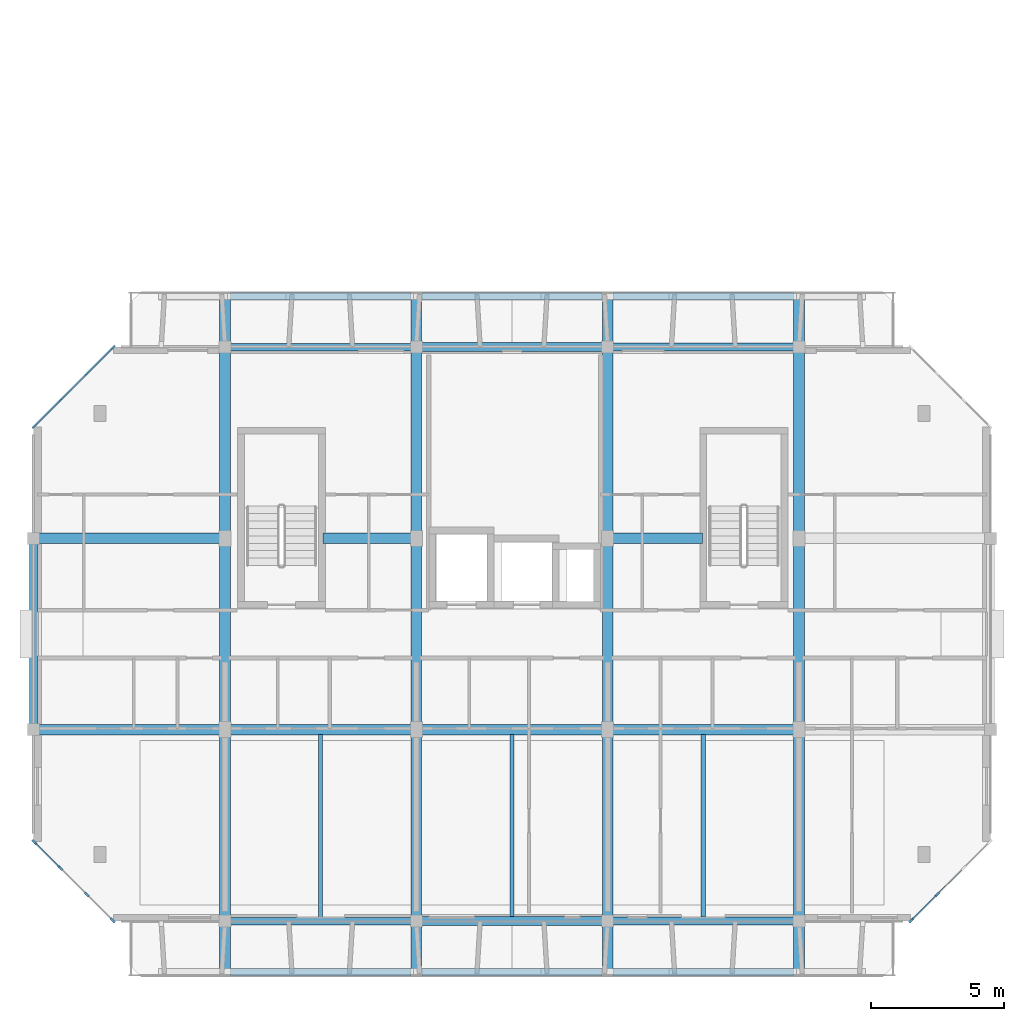
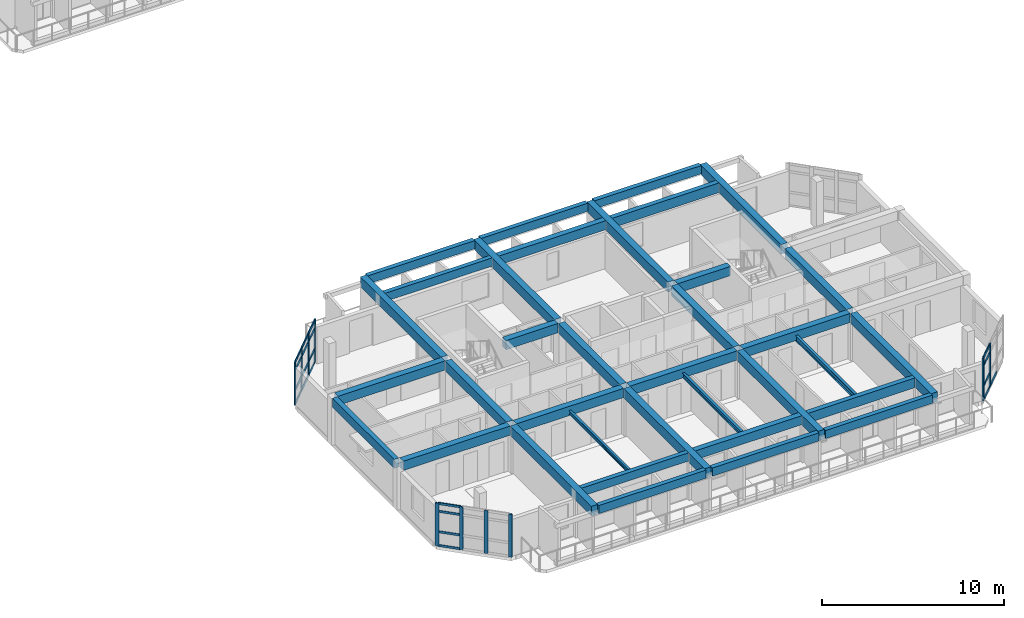
# One storey, part 2 of 22: 35 beams, 31 members, 3 elements without a shape of their own.
"""IFC4 building model written with IfcOpenShell, lengths in metres."""

from ifc_helpers import new_model, si_unit, direction, frame, origin, origin_2d, place, context, subcontext, project, spatial, rectangle, i_section, extrude, material, layer, layer_set, material_profile, profile_set, type_object, element, aggregate, save


model = new_model("IFC4")

# Units and contexts
model_context = context("Model", 3, precision=1e-05, world=origin(), true_north=direction((0.0, 1.0)))
body_context = subcontext(model_context, "Body", "Model", "MODEL_VIEW")
ifc_project = project(units=[si_unit("LENGTHUNIT", "METRE"), si_unit("AREAUNIT", "SQUARE_METRE"), si_unit("VOLUMEUNIT", "CUBIC_METRE"), si_unit("PLANEANGLEUNIT", "RADIAN"), si_unit("MASSUNIT", "GRAM", prefix="KILO")], contexts=[model_context])

# Site, building, storey
site_placement = place(None, origin())
site = spatial("IfcSite", under=ifc_project, at=site_placement, CompositionType="ELEMENT")
building_placement = place(site_placement, origin())
building = spatial("IfcBuilding", under=site, at=building_placement, Name="Ochrevale Crest", CompositionType="ELEMENT")
storey_placement = place(building_placement, frame((0.0, 0.0, 40.199951171875)))
storey = spatial("IfcBuildingStorey", under=building, at=storey_placement, Name="L12", CompositionType="ELEMENT", Elevation=40.199951171875)

# Beams
ifc_material_1 = material(Name="Precast concrete C50/60", Category="concrete")
ifc_material_profile_1 = material_profile(ifc_material_1, rectangle(XDim=0.39990234375, YDim=0.6201171875, at=origin_2d()), Name="PC 400x620")
ifc_profile_set_1 = profile_set([ifc_material_profile_1], Name="Precast concrete C50/60")
beam_type_1 = type_object("IfcBeamType", Name="BM-PC400x620", PredefinedType="BEAM", material=ifc_profile_set_1)
for number, where, z_axis, x_axis, name in (
    (1, (129.800048828125, 21.60009765625, 2.840087890625), (1.0, 0.0, 0.0), (0.0, 1.0, 0.0), "Block C L12 E-W beam Y=21.6"),
    (2, (137.0, 21.60009765625, 2.840087890625), (1.0, 0.0, 0.0), (0.0, 1.0, 0.0), "Block C L12 E-W beam Y=21.6"),
    (3, (144.199951171875, 21.60009765625, 2.840087890625), (1.0, 0.0, 0.0), (0.0, 1.0, 0.0), "Block C L12 E-W beam Y=21.6"),
    (4, (151.39990234375, 21.60009765625, 2.840087890625), (1.0, 0.0, 0.0), (0.0, 1.0, 0.0), "Block C L12 E-W beam Y=21.6"),
    (5, (129.800048828125, 28.800048828125, 2.840087890625), (1.0, 0.0, 0.0), (0.0, 1.0, 0.0), "Block C L12 E-W beam Y=28.8"),
):
    element("IfcBeam", number, at=place(storey_placement, frame(where, z_axis=z_axis, x_axis=x_axis)), inside=storey, type_object=beam_type_1, Name=name, PredefinedType="BEAM", context=body_context, shape_type="SweptSolid", body=[
        extrude(rectangle(XDim=0.39990234375, YDim=0.6201171875, at=origin_2d()), origin(), (0.0, 0.0, 1.0), 6.800048828125),
    ])
beam_1_placement = place(storey_placement, frame((140.489990234375, 28.800048828125, 2.840087890625), z_axis=(1.0, 0.0, 0.0), x_axis=(0.0, 1.0, 0.0)))
element("IfcBeam", 6, at=beam_1_placement, inside=storey, type_object=beam_type_1, Name="Block C L12 E-W beam Y=28.8", PredefinedType="BEAM", context=body_context, shape_type="SweptSolid", body=[
    extrude(rectangle(XDim=0.39990234375, YDim=0.6201171875, at=origin_2d()), origin(), (0.0, 0.0, 1.0), 3.31005859375),
])
beam_2_placement = place(storey_placement, frame((151.39990234375, 28.800048828125, 2.840087890625), z_axis=(1.0, 0.0, 0.0), x_axis=(0.0, 1.0, 0.0)))
element("IfcBeam", 7, at=beam_2_placement, inside=storey, type_object=beam_type_1, Name="Block C L12 E-W beam Y=28.8", PredefinedType="BEAM", context=body_context, shape_type="SweptSolid", body=[
    extrude(rectangle(XDim=0.39990234375, YDim=0.6201171875, at=origin_2d()), origin(), (0.0, 0.0, 1.0), 3.360107421875),
])
ifc_material_profile_2 = material_profile(ifc_material_1, rectangle(XDim=0.39990234375, YDim=0.64990234375, at=origin_2d()), Name="PC 400x650")
ifc_profile_set_2 = profile_set([ifc_material_profile_2], Name="Precast concrete C50/60")
beam_type_2 = type_object("IfcBeamType", Name="BM-PC400x650", PredefinedType="BEAM", material=ifc_profile_set_2)
beam_3_placement = place(storey_placement, frame((136.800048828125, 12.47998046875, 2.824951171875), z_axis=(0.0, 1.0, 0.0), x_axis=(-1.0, 0.0, 0.0)))
element("IfcBeam", 8, at=beam_3_placement, inside=storey, type_object=beam_type_2, Name="Block C L12 N-S beam X=136.8", PredefinedType="BEAM", context=body_context, shape_type="SweptSolid", body=[
    extrude(rectangle(XDim=0.39990234375, YDim=0.64990234375, at=origin_2d()), origin(), (0.0, 0.0, 1.0), 8.9150390625),
])
beam_4_placement = place(storey_placement, frame((136.800048828125, 21.804931640625, 2.824951171875), z_axis=(0.0, 1.0, 0.0), x_axis=(-1.0, 0.0, 0.0)))
element("IfcBeam", 9, at=beam_4_placement, inside=storey, type_object=beam_type_2, Name="Block C L12 N-S beam X=136.8", PredefinedType="BEAM", context=body_context, shape_type="SweptSolid", body=[
    extrude(rectangle(XDim=0.39990234375, YDim=0.64990234375, at=origin_2d()), origin(), (0.0, 0.0, 1.0), 6.7900390625),
])
for number, where, z_axis, x_axis, name in (
    (10, (136.800048828125, 29.0048828125, 2.824951171875), (0.0, 1.0, 0.0), (-1.0, 0.0, 0.0), "Block C L12 N-S beam X=136.8"),
    (11, (144.0, 12.47998046875, 2.824951171875), (0.0, 1.0, 0.0), (-1.0, 0.0, 0.0), "Block C L12 N-S beam X=144.0"),
):
    element("IfcBeam", number, at=place(storey_placement, frame(where, z_axis=z_axis, x_axis=x_axis)), inside=storey, type_object=beam_type_2, Name=name, PredefinedType="BEAM", context=body_context, shape_type="SweptSolid", body=[
        extrude(rectangle(XDim=0.39990234375, YDim=0.64990234375, at=origin_2d()), origin(), (0.0, 0.0, 1.0), 8.9150390625),
    ])
beam_5_placement = place(storey_placement, frame((144.0, 21.804931640625, 2.824951171875), z_axis=(0.0, 1.0, 0.0), x_axis=(-1.0, 0.0, 0.0)))
element("IfcBeam", 12, at=beam_5_placement, inside=storey, type_object=beam_type_2, Name="Block C L12 N-S beam X=144.0", PredefinedType="BEAM", context=body_context, shape_type="SweptSolid", body=[
    extrude(rectangle(XDim=0.39990234375, YDim=0.64990234375, at=origin_2d()), origin(), (0.0, 0.0, 1.0), 6.7900390625),
])
for number, where, z_axis, x_axis, name in (
    (13, (144.0, 29.0048828125, 2.824951171875), (0.0, 1.0, 0.0), (-1.0, 0.0, 0.0), "Block C L12 N-S beam X=144.0"),
    (14, (151.199951171875, 12.47998046875, 2.824951171875), (0.0, 1.0, 0.0), (-1.0, 0.0, 0.0), "Block C L12 N-S beam X=151.2"),
):
    element("IfcBeam", number, at=place(storey_placement, frame(where, z_axis=z_axis, x_axis=x_axis)), inside=storey, type_object=beam_type_2, Name=name, PredefinedType="BEAM", context=body_context, shape_type="SweptSolid", body=[
        extrude(rectangle(XDim=0.39990234375, YDim=0.64990234375, at=origin_2d()), origin(), (0.0, 0.0, 1.0), 8.9150390625),
    ])
beam_6_placement = place(storey_placement, frame((151.199951171875, 21.804931640625, 2.824951171875), z_axis=(0.0, 1.0, 0.0), x_axis=(-1.0, 0.0, 0.0)))
element("IfcBeam", 15, at=beam_6_placement, inside=storey, type_object=beam_type_2, Name="Block C L12 N-S beam X=151.2", PredefinedType="BEAM", context=body_context, shape_type="SweptSolid", body=[
    extrude(rectangle(XDim=0.39990234375, YDim=0.64990234375, at=origin_2d()), origin(), (0.0, 0.0, 1.0), 6.7900390625),
])
for number, where, z_axis, x_axis, name in (
    (16, (151.199951171875, 29.0048828125, 2.824951171875), (0.0, 1.0, 0.0), (-1.0, 0.0, 0.0), "Block C L12 N-S beam X=151.2"),
    (17, (158.39990234375, 12.47998046875, 2.824951171875), (0.0, 1.0, 0.0), (-1.0, 0.0, 0.0), "Block C L12 N-S beam X=158.4"),
):
    element("IfcBeam", number, at=place(storey_placement, frame(where, z_axis=z_axis, x_axis=x_axis)), inside=storey, type_object=beam_type_2, Name=name, PredefinedType="BEAM", context=body_context, shape_type="SweptSolid", body=[
        extrude(rectangle(XDim=0.39990234375, YDim=0.64990234375, at=origin_2d()), origin(), (0.0, 0.0, 1.0), 8.9150390625),
    ])
beam_7_placement = place(storey_placement, frame((158.39990234375, 21.804931640625, 2.824951171875), z_axis=(0.0, 1.0, 0.0), x_axis=(-1.0, 0.0, 0.0)))
element("IfcBeam", 18, at=beam_7_placement, inside=storey, type_object=beam_type_2, Name="Block C L12 N-S beam X=158.4", PredefinedType="BEAM", context=body_context, shape_type="SweptSolid", body=[
    extrude(rectangle(XDim=0.39990234375, YDim=0.64990234375, at=origin_2d()), origin(), (0.0, 0.0, 1.0), 6.7900390625),
])
beam_8_placement = place(storey_placement, frame((158.39990234375, 29.0048828125, 2.824951171875), z_axis=(0.0, 1.0, 0.0), x_axis=(-1.0, 0.0, 0.0)))
element("IfcBeam", 19, at=beam_8_placement, inside=storey, type_object=beam_type_2, Name="Block C L12 N-S beam X=158.4", PredefinedType="BEAM", context=body_context, shape_type="SweptSolid", body=[
    extrude(rectangle(XDim=0.39990234375, YDim=0.64990234375, at=origin_2d()), origin(), (0.0, 0.0, 1.0), 8.9150390625),
])
ifc_material_2 = material(Name="Precast concrete C40/50", Category="concrete")
ifc_material_profile_3 = material_profile(ifc_material_2, rectangle(XDim=0.280029296875, YDim=0.550048828125, at=origin_2d()), Name="PC 280x550")
ifc_profile_set_3 = profile_set([ifc_material_profile_3], Name="Precast concrete C40/50")
beam_type_3 = type_object("IfcBeamType", Name="BM-SP280x550", PredefinedType="SPANDREL", material=ifc_profile_set_3)
for number, where, z_axis, x_axis, name in (
    (20, (137.0, 14.39990234375, 2.875), (1.0, 0.0, 0.0), (0.0, 1.0, 0.0), "Block C L12 E-W beam Y=14.4"),
    (21, (137.0, 36.0, 2.875), (1.0, 0.0, 0.0), (0.0, 1.0, 0.0), "Block C L12 E-W beam Y=36.0"),
):
    element("IfcBeam", number, at=place(storey_placement, frame(where, z_axis=z_axis, x_axis=x_axis)), inside=storey, type_object=beam_type_3, Name=name, PredefinedType="SPANDREL", context=body_context, shape_type="SweptSolid", body=[
        extrude(rectangle(XDim=0.280029296875, YDim=0.550048828125, at=origin_2d()), origin(), (0.0, 0.0, 1.0), 6.800048828125),
    ])
for number, where, z_axis, x_axis, name in (
    (22, (137.0048828125, 12.47998046875, 2.875), (1.0, 0.0, 0.0), (0.0, 1.0, 0.0), "Block C L12 top-loggia precast ring lintel S-1"),
    (23, (144.205078125, 12.47998046875, 2.875), (1.0, 0.0, 0.0), (0.0, 1.0, 0.0), "Block C L12 top-loggia precast ring lintel S-2"),
    (24, (151.405029296875, 12.47998046875, 2.875), (1.0, 0.0, 0.0), (0.0, 1.0, 0.0), "Block C L12 top-loggia precast ring lintel S-3"),
    (25, (137.0048828125, 37.919921875, 2.875), (1.0, 0.0, 0.0), (0.0, 1.0, 0.0), "Block C L12 top-loggia precast ring lintel N-1"),
    (26, (144.205078125, 37.919921875, 2.875), (1.0, 0.0, 0.0), (0.0, 1.0, 0.0), "Block C L12 top-loggia precast ring lintel N-2"),
    (27, (151.405029296875, 37.919921875, 2.875), (1.0, 0.0, 0.0), (0.0, 1.0, 0.0), "Block C L12 top-loggia precast ring lintel N-3"),
):
    element("IfcBeam", number, at=place(storey_placement, frame(where, z_axis=z_axis, x_axis=x_axis)), inside=storey, type_object=beam_type_3, Name=name, PredefinedType="SPANDREL", context=body_context, shape_type="SweptSolid", body=[
        extrude(rectangle(XDim=0.280029296875, YDim=0.550048828125, at=origin_2d()), origin(), (0.0, 0.0, 1.0), 6.7900390625),
    ])
ifc_material_profile_4 = material_profile(ifc_material_2, rectangle(XDim=0.300048828125, YDim=0.60009765625, at=origin_2d()), Name="PC 300x600")
ifc_profile_set_4 = profile_set([ifc_material_profile_4], Name="Precast concrete C40/50")
beam_type_4 = type_object("IfcBeamType", Name="BM-SP300x600", PredefinedType="SPANDREL", material=ifc_profile_set_4)
beam_9_placement = place(storey_placement, frame((129.60009765625, 21.804931640625, 2.85009765625), z_axis=(0.0, 1.0, 0.0), x_axis=(-1.0, 0.0, 0.0)))
element("IfcBeam", 28, at=beam_9_placement, inside=storey, type_object=beam_type_4, Name="Block C L12 N-S beam X=129.6", PredefinedType="SPANDREL", context=body_context, shape_type="SweptSolid", body=[
    extrude(rectangle(XDim=0.300048828125, YDim=0.60009765625, at=origin_2d()), origin(), (0.0, 0.0, 1.0), 6.7900390625),
])
ifc_material_profile_5 = material_profile(ifc_material_2, rectangle(XDim=0.300048828125, YDim=0.64990234375, at=origin_2d()), Name="PC 300x650")
ifc_profile_set_5 = profile_set([ifc_material_profile_5], Name="Precast concrete C40/50")
beam_type_5 = type_object("IfcBeamType", Name="BM-SP300x650", PredefinedType="SPANDREL", material=ifc_profile_set_5)
for number, where, z_axis, x_axis, name in (
    (29, (151.39990234375, 14.39990234375, 2.824951171875), (1.0, 0.0, 0.0), (0.0, 1.0, 0.0), "Block C L12 E-W beam Y=14.4"),
    (30, (151.39990234375, 36.0, 2.824951171875), (1.0, 0.0, 0.0), (0.0, 1.0, 0.0), "Block C L12 E-W beam Y=36.0"),
):
    element("IfcBeam", number, at=place(storey_placement, frame(where, z_axis=z_axis, x_axis=x_axis)), inside=storey, type_object=beam_type_5, Name=name, PredefinedType="SPANDREL", context=body_context, shape_type="SweptSolid", body=[
        extrude(rectangle(XDim=0.300048828125, YDim=0.64990234375, at=origin_2d()), origin(), (0.0, 0.0, 1.0), 6.800048828125),
    ])
ifc_material_profile_6 = material_profile(ifc_material_2, rectangle(XDim=0.35009765625, YDim=0.60009765625, at=origin_2d()), Name="PC 350x600")
ifc_profile_set_6 = profile_set([ifc_material_profile_6], Name="Precast concrete C40/50")
beam_type_6 = type_object("IfcBeamType", Name="BM-SP350x600", PredefinedType="SPANDREL", material=ifc_profile_set_6)
for number, where, z_axis, x_axis, name in (
    (31, (144.199951171875, 14.39990234375, 2.85009765625), (1.0, 0.0, 0.0), (0.0, 1.0, 0.0), "Block C L12 E-W beam Y=14.4"),
    (32, (144.199951171875, 36.0, 2.85009765625), (1.0, 0.0, 0.0), (0.0, 1.0, 0.0), "Block C L12 E-W beam Y=36.0"),
):
    element("IfcBeam", number, at=place(storey_placement, frame(where, z_axis=z_axis, x_axis=x_axis)), inside=storey, type_object=beam_type_6, Name=name, PredefinedType="SPANDREL", context=body_context, shape_type="SweptSolid", body=[
        extrude(rectangle(XDim=0.35009765625, YDim=0.60009765625, at=origin_2d()), origin(), (0.0, 0.0, 1.0), 6.800048828125),
    ])
ifc_material_3 = material(Name="Steel S355", Category="steel")
ifc_material_profile_7 = material_profile(ifc_material_3, i_section(OverallWidth=0.146484375, OverallDepth=0.256103515625, WebThickness=0.00634765625, FlangeThickness=0.010986328125, FilletRadius=0.0087890625, at=origin_2d()), Name="250UB37.3")
ifc_profile_set_7 = profile_set([ifc_material_profile_7], Name="Steel S355")
beam_type_7 = type_object("IfcBeamType", Name="BM-UB250B", PredefinedType="JOIST", material=ifc_profile_set_7)
beam_10_placement = place(storey_placement, frame((140.39990234375, 14.528076171875, 2.7470703125), z_axis=(0.0, 1.0, 0.0), x_axis=(-1.0, 0.0, 0.0)))
element("IfcBeam", 33, at=beam_10_placement, inside=storey, type_object=beam_type_7, Name="Block C L12 composite plank trimmer beam 2", PredefinedType="JOIST", context=body_context, shape_type="SweptSolid", body=[
    extrude(i_section(OverallWidth=0.146484375, OverallDepth=0.256103515625, WebThickness=0.00634765625, FlangeThickness=0.010986328125, FilletRadius=0.0087890625, at=origin_2d()), origin(), (0.0, 0.0, 1.0), 6.884033203125),
])
ifc_material_profile_8 = material_profile(ifc_material_3, i_section(OverallWidth=0.1650390625, OverallDepth=0.3037109375, WebThickness=0.006103515625, FlangeThickness=0.01025390625, FilletRadius=0.011474609375, at=origin_2d()), Name="310UB40.4")
ifc_profile_set_8 = profile_set([ifc_material_profile_8], Name="Steel S355")
beam_type_8 = type_object("IfcBeamType", Name="BM-UB310A", PredefinedType="BEAM", material=ifc_profile_set_8)
beam_11_placement = place(storey_placement, frame((147.60009765625, 14.56298828125, 2.72314453125), z_axis=(0.0, 1.0, 0.0), x_axis=(-1.0, 0.0, 0.0)))
element("IfcBeam", 34, at=beam_11_placement, inside=storey, type_object=beam_type_8, Name="Block C L12 composite plank trimmer beam 3", PredefinedType="BEAM", context=body_context, shape_type="SweptSolid", body=[
    extrude(i_section(OverallWidth=0.1650390625, OverallDepth=0.3037109375, WebThickness=0.006103515625, FlangeThickness=0.01025390625, FilletRadius=0.011474609375, at=origin_2d()), origin(), (0.0, 0.0, 1.0), 6.84912109375),
])
ifc_material_profile_9 = material_profile(ifc_material_3, i_section(OverallWidth=0.17138671875, OverallDepth=0.355712890625, WebThickness=0.00732421875, FlangeThickness=0.011474609375, FilletRadius=0.011474609375, at=origin_2d()), Name="360UB50.7")
ifc_profile_set_9 = profile_set([ifc_material_profile_9], Name="Steel S355")
beam_type_9 = type_object("IfcBeamType", Name="BM-UB360A", PredefinedType="BEAM", material=ifc_profile_set_9)
beam_12_placement = place(storey_placement, frame((154.800048828125, 14.5380859375, 2.697265625), z_axis=(0.0, 1.0, 0.0), x_axis=(-1.0, 0.0, 0.0)))
element("IfcBeam", 35, at=beam_12_placement, inside=storey, type_object=beam_type_9, Name="Block C L12 composite plank trimmer beam 4", PredefinedType="BEAM", context=body_context, shape_type="SweptSolid", body=[
    extrude(i_section(OverallWidth=0.17138671875, OverallDepth=0.355712890625, WebThickness=0.00732421875, FlangeThickness=0.011474609375, FilletRadius=0.011474609375, at=origin_2d()), origin(), (0.0, 0.0, 1.0), 6.8740234375),
])

# Curtain wall, members
ifc_material_4 = material(Name="Anodised aluminium 6063-T5", Category="aluminium")
ifc_layer_1 = layer(ifc_material_4, 0.14990234375)
ifc_layer_set_1 = layer_set([ifc_layer_1], Name="Anodised aluminium 6063-T5")
curtain_wall_type_1 = type_object("IfcCurtainWallType", Name="CW-WG-420x285", PredefinedType="NOTDEFINED", material=ifc_layer_set_1)
curtain_wall_1_placement = place(storey_placement, origin())
curtain_wall_1 = element("IfcCurtainWall", 36, at=curtain_wall_1_placement, inside=storey, type_object=curtain_wall_type_1, Name="Block C L12 chamfered corner wintergarden curtain wall 2", PredefinedType="NOTDEFINED")
ifc_material_profile_10 = material_profile(ifc_material_4, rectangle(XDim=0.074951171875, YDim=0.219970703125, at=origin_2d()), Name="ALU 75x220")
ifc_profile_set_10 = profile_set([ifc_material_profile_10], Name="Anodised aluminium 6063-T5")
member_type_1 = type_object("IfcMemberType", Name="CW-MUL-75x220", PredefinedType="MULLION", material=ifc_profile_set_10)
member_1_placement = place(storey_placement, frame((162.62646484375, 14.426513671875, 0.0), z_axis=(0.0, 0.0, 1.0), x_axis=(-0.707106781187, 0.707106781187, 0.0)))
member_1 = element("IfcMember", 37, at=member_1_placement, type_object=member_type_1, Name="CW22 mullion 1", PredefinedType="MULLION", context=body_context, shape_type="SweptSolid", body=[
    extrude(rectangle(XDim=0.074951171875, YDim=0.219970703125, at=origin_2d()), origin(), (0.0, 0.0, 1.0), 2.875),
])
member_2_placement = place(storey_placement, frame((163.60009765625, 15.39990234375, 0.0), z_axis=(0.0, 0.0, 1.0), x_axis=(-0.707106781187, 0.707106781187, 0.0)))
member_2 = element("IfcMember", 38, at=member_2_placement, type_object=member_type_1, Name="CW22 mullion 2", PredefinedType="MULLION", context=body_context, shape_type="SweptSolid", body=[
    extrude(rectangle(XDim=0.074951171875, YDim=0.219970703125, at=origin_2d()), origin(), (0.0, 0.0, 1.0), 2.875),
])

ifc_layer_2 = layer(ifc_material_4, 0.14990234375)
ifc_layer_set_2 = layer_set([ifc_layer_2], Name="Anodised aluminium 6063-T5")
curtain_wall_type_2 = type_object("IfcCurtainWallType", Name="CW-WG-360x285", PredefinedType="NOTDEFINED", material=ifc_layer_set_2)
curtain_wall_2_placement = place(storey_placement, origin())
curtain_wall_2 = element("IfcCurtainWall", 39, at=curtain_wall_2_placement, inside=storey, type_object=curtain_wall_type_2, Name="Block C L12 chamfered corner wintergarden curtain wall 6", PredefinedType="NOTDEFINED")
member_3_placement = place(storey_placement, frame((132.573486328125, 35.973388671875, 0.0), z_axis=(0.0, 0.0, 1.0), x_axis=(0.707106781187, -0.707106781187, 0.0)))
member_3 = element("IfcMember", 40, at=member_3_placement, type_object=member_type_1, Name="CW18 mullion 1", PredefinedType="MULLION", context=body_context, shape_type="SweptSolid", body=[
    extrude(rectangle(XDim=0.074951171875, YDim=0.219970703125, at=origin_2d()), origin(), (0.0, 0.0, 1.0), 2.875),
])
member_4_placement = place(storey_placement, frame((131.60009765625, 35.0, 0.0), z_axis=(0.0, 0.0, 1.0), x_axis=(0.707106781187, -0.707106781187, 0.0)))
member_4 = element("IfcMember", 41, at=member_4_placement, type_object=member_type_1, Name="CW18 mullion 2", PredefinedType="MULLION", context=body_context, shape_type="SweptSolid", body=[
    extrude(rectangle(XDim=0.074951171875, YDim=0.219970703125, at=origin_2d()), origin(), (0.0, 0.0, 1.0), 2.875),
])
member_5_placement = place(storey_placement, frame((130.60009765625, 34.0, 0.0), z_axis=(0.0, 0.0, 1.0), x_axis=(0.707106781187, -0.707106781187, 0.0)))
member_5 = element("IfcMember", 42, at=member_5_placement, type_object=member_type_1, Name="CW18 mullion 3", PredefinedType="MULLION", context=body_context, shape_type="SweptSolid", body=[
    extrude(rectangle(XDim=0.074951171875, YDim=0.219970703125, at=origin_2d()), origin(), (0.0, 0.0, 1.0), 2.875),
])
member_6_placement = place(storey_placement, frame((129.62646484375, 33.026611328125, 0.0), z_axis=(0.0, 0.0, 1.0), x_axis=(0.707106781187, -0.707106781187, 0.0)))
member_6 = element("IfcMember", 43, at=member_6_placement, type_object=member_type_1, Name="CW18 mullion 4", PredefinedType="MULLION", context=body_context, shape_type="SweptSolid", body=[
    extrude(rectangle(XDim=0.074951171875, YDim=0.219970703125, at=origin_2d()), origin(), (0.0, 0.0, 1.0), 2.875),
])

ifc_layer_3 = layer(ifc_material_4, 0.14990234375)
ifc_layer_set_3 = layer_set([ifc_layer_3], Name="Anodised aluminium 6063-T5")
curtain_wall_type_3 = type_object("IfcCurtainWallType", Name="CW-WG-240x285", PredefinedType="NOTDEFINED", material=ifc_layer_set_3)
curtain_wall_3_placement = place(storey_placement, origin())
curtain_wall_3 = element("IfcCurtainWall", 44, at=curtain_wall_3_placement, inside=storey, type_object=curtain_wall_type_3, Name="Block C L12 chamfered corner wintergarden curtain wall 8", PredefinedType="NOTDEFINED")
member_7_placement = place(storey_placement, frame((129.62646484375, 17.37353515625, 0.0), z_axis=(0.0, 0.0, 1.0), x_axis=(0.707106781187, 0.707106781187, 0.0)))
member_7 = element("IfcMember", 45, at=member_7_placement, type_object=member_type_1, Name="CW15 mullion 1", PredefinedType="MULLION", context=body_context, shape_type="SweptSolid", body=[
    extrude(rectangle(XDim=0.074951171875, YDim=0.219970703125, at=origin_2d()), origin(), (0.0, 0.0, 1.0), 2.875),
])
member_8_placement = place(storey_placement, frame((130.60009765625, 16.39990234375, 0.0), z_axis=(0.0, 0.0, 1.0), x_axis=(0.707106781187, 0.707106781187, 0.0)))
member_8 = element("IfcMember", 46, at=member_8_placement, type_object=member_type_1, Name="CW15 mullion 2", PredefinedType="MULLION", context=body_context, shape_type="SweptSolid", body=[
    extrude(rectangle(XDim=0.074951171875, YDim=0.219970703125, at=origin_2d()), origin(), (0.0, 0.0, 1.0), 2.875),
])
member_9_placement = place(storey_placement, frame((131.60009765625, 15.39990234375, 0.0), z_axis=(0.0, 0.0, 1.0), x_axis=(0.707106781187, 0.707106781187, 0.0)))
member_9 = element("IfcMember", 47, at=member_9_placement, type_object=member_type_1, Name="CW15 mullion 3", PredefinedType="MULLION", context=body_context, shape_type="SweptSolid", body=[
    extrude(rectangle(XDim=0.074951171875, YDim=0.219970703125, at=origin_2d()), origin(), (0.0, 0.0, 1.0), 2.875),
])
member_10_placement = place(storey_placement, frame((132.573486328125, 14.426513671875, 0.0), z_axis=(0.0, 0.0, 1.0), x_axis=(0.707106781187, 0.707106781187, 0.0)))
member_10 = element("IfcMember", 48, at=member_10_placement, type_object=member_type_1, Name="CW15 mullion 4", PredefinedType="MULLION", context=body_context, shape_type="SweptSolid", body=[
    extrude(rectangle(XDim=0.074951171875, YDim=0.219970703125, at=origin_2d()), origin(), (0.0, 0.0, 1.0), 2.875),
])

# Member
ifc_material_profile_11 = material_profile(ifc_material_4, rectangle(XDim=0.06005859375, YDim=0.14990234375, at=origin_2d()), Name="ALU 60x150")
ifc_profile_set_11 = profile_set([ifc_material_profile_11], Name="Anodised aluminium 6063-T5")
member_type_2 = type_object("IfcMemberType", Name="CW-TRN-60x150", PredefinedType="USERDEFINED", material=ifc_profile_set_11)
member_11_placement = place(storey_placement, frame((162.653076171875, 14.453125, 0.030029296875), z_axis=(0.707106781187, 0.707106781187, 0.0), x_axis=(-0.707106781187, 0.707106781187, 0.0)))
member_11 = element("IfcMember", 49, at=member_11_placement, type_object=member_type_2, Name="CW22 transom 1.1", ObjectType="TRANSOM", PredefinedType="USERDEFINED", context=body_context, shape_type="SweptSolid", body=[
    extrude(rectangle(XDim=0.06005859375, YDim=0.14990234375, at=origin_2d()), origin(), (0.0, 0.0, 1.0), 1.3017578125),
])

member_12_placement = place(storey_placement, frame((162.653076171875, 14.453125, 0.949951171875), z_axis=(0.707106781187, 0.707106781187, 0.0), x_axis=(-0.707106781187, 0.707106781187, 0.0)))
member_12 = element("IfcMember", 50, at=member_12_placement, type_object=member_type_2, Name="CW22 transom 1.2", ObjectType="TRANSOM", PredefinedType="USERDEFINED", context=body_context, shape_type="SweptSolid", body=[
    extrude(rectangle(XDim=0.06005859375, YDim=0.14990234375, at=origin_2d()), origin(), (0.0, 0.0, 1.0), 1.3017578125),
])

member_13_placement = place(storey_placement, frame((162.653076171875, 14.453125, 2.324951171875), z_axis=(0.707106781187, 0.707106781187, 0.0), x_axis=(-0.707106781187, 0.707106781187, 0.0)))
member_13 = element("IfcMember", 51, at=member_13_placement, type_object=member_type_2, Name="CW22 transom 1.3", ObjectType="TRANSOM", PredefinedType="USERDEFINED", context=body_context, shape_type="SweptSolid", body=[
    extrude(rectangle(XDim=0.06005859375, YDim=0.14990234375, at=origin_2d()), origin(), (0.0, 0.0, 1.0), 1.3017578125),
])

member_14_placement = place(storey_placement, frame((162.653076171875, 14.453125, 2.844970703125), z_axis=(0.707106781187, 0.707106781187, 0.0), x_axis=(-0.707106781187, 0.707106781187, 0.0)))
member_14 = element("IfcMember", 52, at=member_14_placement, type_object=member_type_2, Name="CW22 transom 1.4", ObjectType="TRANSOM", PredefinedType="USERDEFINED", context=body_context, shape_type="SweptSolid", body=[
    extrude(rectangle(XDim=0.06005859375, YDim=0.14990234375, at=origin_2d()), origin(), (0.0, 0.0, 1.0), 1.3017578125),
])

member_15_placement = place(storey_placement, frame((163.62646484375, 15.426513671875, 0.030029296875), z_axis=(0.707106781187, 0.707106781187, 0.0), x_axis=(-0.707106781187, 0.707106781187, 0.0)))
member_15 = element("IfcMember", 53, at=member_15_placement, type_object=member_type_2, Name="CW22 transom 2.1", ObjectType="TRANSOM", PredefinedType="USERDEFINED", context=body_context, shape_type="SweptSolid", body=[
    extrude(rectangle(XDim=0.06005859375, YDim=0.14990234375, at=origin_2d()), origin(), (0.0, 0.0, 1.0), 1.33935546875),
])

aggregate(curtain_wall_1, [member_1, member_2, member_11, member_12, member_13, member_14, member_15])

member_16_placement = place(storey_placement, frame((132.546875, 35.947021484375, 0.030029296875), z_axis=(-0.707106781187, -0.707106781187, 0.0), x_axis=(0.707106781187, -0.707106781187, 0.0)))
member_16 = element("IfcMember", 54, at=member_16_placement, type_object=member_type_2, Name="CW18 transom 1.1", ObjectType="TRANSOM", PredefinedType="USERDEFINED", context=body_context, shape_type="SweptSolid", body=[
    extrude(rectangle(XDim=0.06005859375, YDim=0.14990234375, at=origin_2d()), origin(), (0.0, 0.0, 1.0), 1.3017578125),
])

member_17_placement = place(storey_placement, frame((132.546875, 35.947021484375, 0.949951171875), z_axis=(-0.707106781187, -0.707106781187, 0.0), x_axis=(0.707106781187, -0.707106781187, 0.0)))
member_17 = element("IfcMember", 55, at=member_17_placement, type_object=member_type_2, Name="CW18 transom 1.2", ObjectType="TRANSOM", PredefinedType="USERDEFINED", context=body_context, shape_type="SweptSolid", body=[
    extrude(rectangle(XDim=0.06005859375, YDim=0.14990234375, at=origin_2d()), origin(), (0.0, 0.0, 1.0), 1.3017578125),
])

member_18_placement = place(storey_placement, frame((132.546875, 35.947021484375, 2.324951171875), z_axis=(-0.707106781187, -0.707106781187, 0.0), x_axis=(0.707106781187, -0.707106781187, 0.0)))
member_18 = element("IfcMember", 56, at=member_18_placement, type_object=member_type_2, Name="CW18 transom 1.3", ObjectType="TRANSOM", PredefinedType="USERDEFINED", context=body_context, shape_type="SweptSolid", body=[
    extrude(rectangle(XDim=0.06005859375, YDim=0.14990234375, at=origin_2d()), origin(), (0.0, 0.0, 1.0), 1.3017578125),
])

member_19_placement = place(storey_placement, frame((132.546875, 35.947021484375, 2.844970703125), z_axis=(-0.707106781187, -0.707106781187, 0.0), x_axis=(0.707106781187, -0.707106781187, 0.0)))
member_19 = element("IfcMember", 57, at=member_19_placement, type_object=member_type_2, Name="CW18 transom 1.4", ObjectType="TRANSOM", PredefinedType="USERDEFINED", context=body_context, shape_type="SweptSolid", body=[
    extrude(rectangle(XDim=0.06005859375, YDim=0.14990234375, at=origin_2d()), origin(), (0.0, 0.0, 1.0), 1.3017578125),
])

member_20_placement = place(storey_placement, frame((131.573486328125, 34.973388671875, 0.030029296875), z_axis=(-0.707197932559, -0.707015618062, 0.0), x_axis=(0.707015618062, -0.707197932559, 0.0)))
member_20 = element("IfcMember", 58, at=member_20_placement, type_object=member_type_2, Name="CW18 transom 2.1", ObjectType="TRANSOM", PredefinedType="USERDEFINED", context=body_context, shape_type="SweptSolid", body=[
    extrude(rectangle(XDim=0.06005859375, YDim=0.14990234375, at=origin_2d()), origin(), (0.0, 0.0, 1.0), 1.339111328125),
])

member_21_placement = place(storey_placement, frame((131.573486328125, 34.973388671875, 0.949951171875), z_axis=(-0.707197932559, -0.707015618062, 0.0), x_axis=(0.707015618062, -0.707197932559, 0.0)))
member_21 = element("IfcMember", 59, at=member_21_placement, type_object=member_type_2, Name="CW18 transom 2.2", ObjectType="TRANSOM", PredefinedType="USERDEFINED", context=body_context, shape_type="SweptSolid", body=[
    extrude(rectangle(XDim=0.06005859375, YDim=0.14990234375, at=origin_2d()), origin(), (0.0, 0.0, 1.0), 1.339111328125),
])

member_22_placement = place(storey_placement, frame((131.573486328125, 34.973388671875, 2.324951171875), z_axis=(-0.707197932559, -0.707015618062, 0.0), x_axis=(0.707015618062, -0.707197932559, 0.0)))
member_22 = element("IfcMember", 60, at=member_22_placement, type_object=member_type_2, Name="CW18 transom 2.3", ObjectType="TRANSOM", PredefinedType="USERDEFINED", context=body_context, shape_type="SweptSolid", body=[
    extrude(rectangle(XDim=0.06005859375, YDim=0.14990234375, at=origin_2d()), origin(), (0.0, 0.0, 1.0), 1.339111328125),
])

member_23_placement = place(storey_placement, frame((131.573486328125, 34.973388671875, 2.844970703125), z_axis=(-0.707197932559, -0.707015618062, 0.0), x_axis=(0.707015618062, -0.707197932559, 0.0)))
member_23 = element("IfcMember", 61, at=member_23_placement, type_object=member_type_2, Name="CW18 transom 2.4", ObjectType="TRANSOM", PredefinedType="USERDEFINED", context=body_context, shape_type="SweptSolid", body=[
    extrude(rectangle(XDim=0.06005859375, YDim=0.14990234375, at=origin_2d()), origin(), (0.0, 0.0, 1.0), 1.339111328125),
])

member_24_placement = place(storey_placement, frame((130.573486328125, 33.973388671875, 0.030029296875), z_axis=(-0.707106781187, -0.707106781187, 0.0), x_axis=(0.707106781187, -0.707106781187, 0.0)))
member_24 = element("IfcMember", 62, at=member_24_placement, type_object=member_type_2, Name="CW18 transom 3.1", ObjectType="TRANSOM", PredefinedType="USERDEFINED", context=body_context, shape_type="SweptSolid", body=[
    extrude(rectangle(XDim=0.06005859375, YDim=0.14990234375, at=origin_2d()), origin(), (0.0, 0.0, 1.0), 1.3017578125),
])

member_25_placement = place(storey_placement, frame((130.573486328125, 33.973388671875, 0.949951171875), z_axis=(-0.707106781187, -0.707106781187, 0.0), x_axis=(0.707106781187, -0.707106781187, 0.0)))
member_25 = element("IfcMember", 63, at=member_25_placement, type_object=member_type_2, Name="CW18 transom 3.2", ObjectType="TRANSOM", PredefinedType="USERDEFINED", context=body_context, shape_type="SweptSolid", body=[
    extrude(rectangle(XDim=0.06005859375, YDim=0.14990234375, at=origin_2d()), origin(), (0.0, 0.0, 1.0), 1.3017578125),
])

member_26_placement = place(storey_placement, frame((130.573486328125, 33.973388671875, 2.324951171875), z_axis=(-0.707106781187, -0.707106781187, 0.0), x_axis=(0.707106781187, -0.707106781187, 0.0)))
member_26 = element("IfcMember", 64, at=member_26_placement, type_object=member_type_2, Name="CW18 transom 3.3", ObjectType="TRANSOM", PredefinedType="USERDEFINED", context=body_context, shape_type="SweptSolid", body=[
    extrude(rectangle(XDim=0.06005859375, YDim=0.14990234375, at=origin_2d()), origin(), (0.0, 0.0, 1.0), 1.3017578125),
])

member_27_placement = place(storey_placement, frame((130.573486328125, 33.973388671875, 2.844970703125), z_axis=(-0.707106781187, -0.707106781187, 0.0), x_axis=(0.707106781187, -0.707106781187, 0.0)))
member_27 = element("IfcMember", 65, at=member_27_placement, type_object=member_type_2, Name="CW18 transom 3.4", ObjectType="TRANSOM", PredefinedType="USERDEFINED", context=body_context, shape_type="SweptSolid", body=[
    extrude(rectangle(XDim=0.06005859375, YDim=0.14990234375, at=origin_2d()), origin(), (0.0, 0.0, 1.0), 1.3017578125),
])

aggregate(curtain_wall_2, [member_3, member_4, member_5, member_6, member_16, member_17, member_18, member_19, member_20, member_21, member_22, member_23, member_24, member_25, member_26, member_27])

member_28_placement = place(storey_placement, frame((129.653076171875, 17.346923828125, 0.030029296875), z_axis=(0.707106781187, -0.707106781187, 0.0), x_axis=(0.707106781187, 0.707106781187, 0.0)))
member_28 = element("IfcMember", 66, at=member_28_placement, type_object=member_type_2, Name="CW15 transom 1.1", ObjectType="TRANSOM", PredefinedType="USERDEFINED", context=body_context, shape_type="SweptSolid", body=[
    extrude(rectangle(XDim=0.06005859375, YDim=0.14990234375, at=origin_2d()), origin(), (0.0, 0.0, 1.0), 1.3017578125),
])

member_29_placement = place(storey_placement, frame((129.653076171875, 17.346923828125, 0.949951171875), z_axis=(0.707106781187, -0.707106781187, 0.0), x_axis=(0.707106781187, 0.707106781187, 0.0)))
member_29 = element("IfcMember", 67, at=member_29_placement, type_object=member_type_2, Name="CW15 transom 1.2", ObjectType="TRANSOM", PredefinedType="USERDEFINED", context=body_context, shape_type="SweptSolid", body=[
    extrude(rectangle(XDim=0.06005859375, YDim=0.14990234375, at=origin_2d()), origin(), (0.0, 0.0, 1.0), 1.3017578125),
])

member_30_placement = place(storey_placement, frame((129.653076171875, 17.346923828125, 2.324951171875), z_axis=(0.707106781187, -0.707106781187, 0.0), x_axis=(0.707106781187, 0.707106781187, 0.0)))
member_30 = element("IfcMember", 68, at=member_30_placement, type_object=member_type_2, Name="CW15 transom 1.3", ObjectType="TRANSOM", PredefinedType="USERDEFINED", context=body_context, shape_type="SweptSolid", body=[
    extrude(rectangle(XDim=0.06005859375, YDim=0.14990234375, at=origin_2d()), origin(), (0.0, 0.0, 1.0), 1.3017578125),
])

member_31_placement = place(storey_placement, frame((129.653076171875, 17.346923828125, 2.844970703125), z_axis=(0.707106781187, -0.707106781187, 0.0), x_axis=(0.707106781187, 0.707106781187, 0.0)))
member_31 = element("IfcMember", 69, at=member_31_placement, type_object=member_type_2, Name="CW15 transom 1.4", ObjectType="TRANSOM", PredefinedType="USERDEFINED", context=body_context, shape_type="SweptSolid", body=[
    extrude(rectangle(XDim=0.06005859375, YDim=0.14990234375, at=origin_2d()), origin(), (0.0, 0.0, 1.0), 1.3017578125),
])

aggregate(curtain_wall_3, [member_7, member_8, member_9, member_10, member_28, member_29, member_30, member_31])

save(model, "model.ifc")
